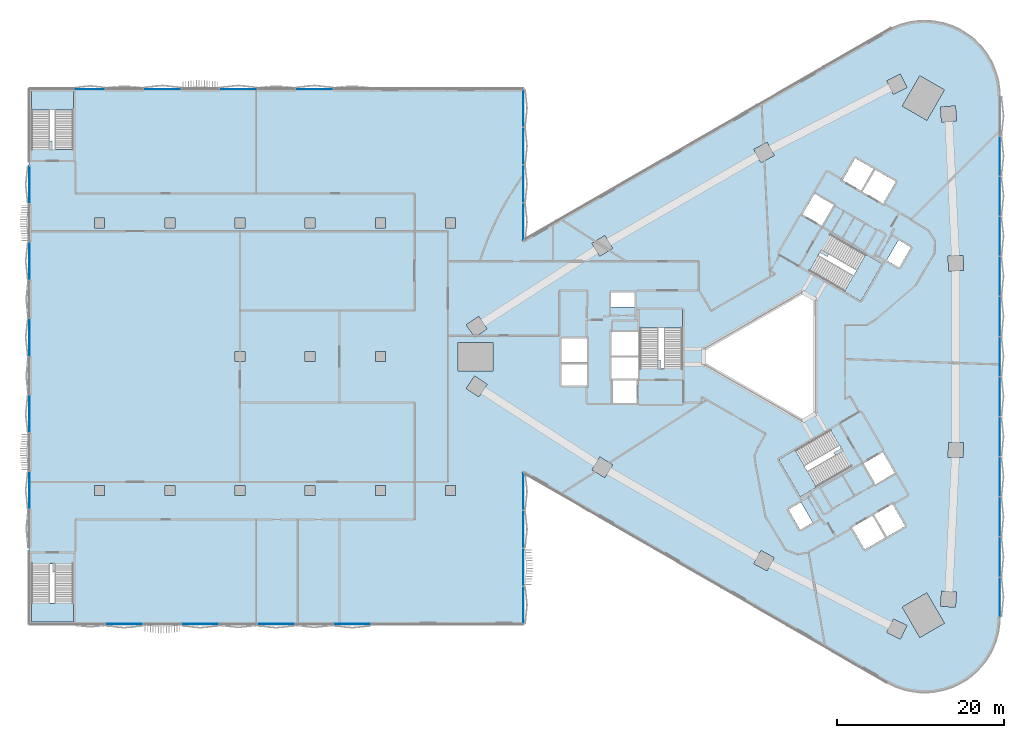
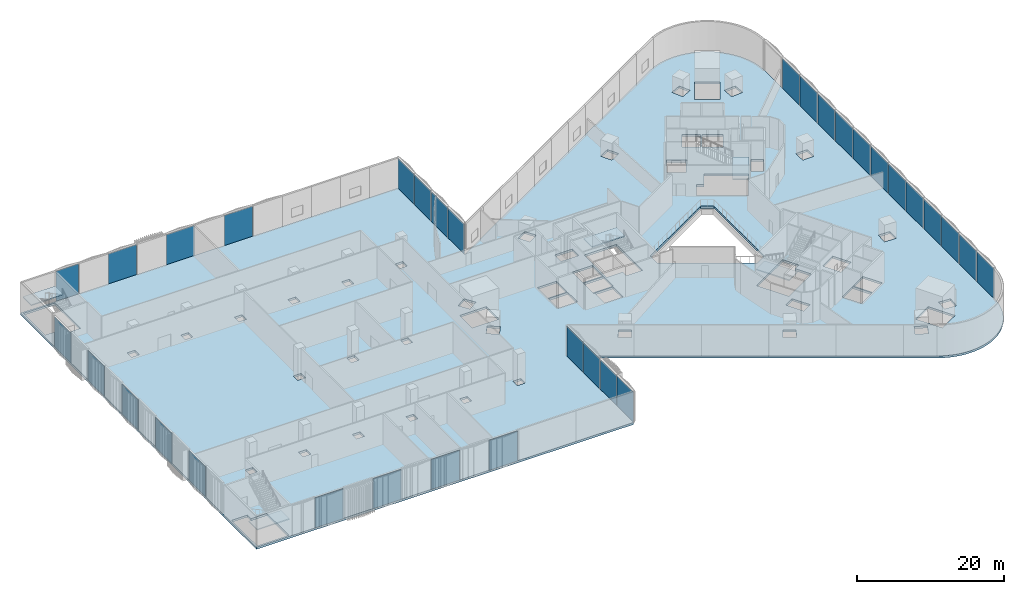
# One storey, part 10 of 31: 33 plates, 6 slabs, 9 elements without a shape of their own.
"""IFC4 building model written with IfcOpenShell, lengths in metres."""

from ifc_helpers import new_model, si_unit, direction, frame, origin, origin_2d, place, context, subcontext, project, spatial, polyline, rectangle, outline, extrude, material, layer, layer_set, type_object, element, aggregate, save


model = new_model("IFC4")

# Units and contexts
model_context = context("Model", 3, precision=1e-05, world=origin(), true_north=direction((0.0, 1.0)))
body_context = subcontext(model_context, "Body", "Model", "MODEL_VIEW")
ifc_project = project(units=[si_unit("LENGTHUNIT", "METRE"), si_unit("AREAUNIT", "SQUARE_METRE"), si_unit("VOLUMEUNIT", "CUBIC_METRE"), si_unit("PLANEANGLEUNIT", "RADIAN"), si_unit("MASSUNIT", "GRAM", prefix="KILO")], contexts=[model_context])

# Site, building, storey
site_placement = place(None, origin())
site = spatial("IfcSite", under=ifc_project, at=site_placement, CompositionType="ELEMENT")
building_placement = place(site_placement, origin())
building = spatial("IfcBuilding", under=site, at=building_placement, Name="Tamra Quay Hotel Tower", CompositionType="ELEMENT")
storey_placement = place(building_placement, frame((0.0, 0.0, 14.0)))
storey = spatial("IfcBuildingStorey", under=building, at=storey_placement, Name="L02", CompositionType="ELEMENT", Elevation=14.0)

# Stair, slab
ifc_material_1 = material(Name="Exit stair 2200 38 risers 144.7 going 272")
stair_type_1 = type_object("IfcStairType", Name="Exit stair 2200 38 risers 144.7 going 272", PredefinedType="HALF_TURN_STAIR", material=ifc_material_1)
stair_1_placement = place(storey_placement, origin())
stair_1 = element("IfcStair", 1, at=stair_1_placement, inside=storey, type_object=stair_type_1, Name="L02 Exit stair ST3", PredefinedType="HALF_TURN_STAIR")
ifc_material_2 = material(Name="Concrete M70", Category="concrete")
ifc_layer_1 = layer(ifc_material_2, 0.175048828125)
ifc_layer_set_1 = layer_set([ifc_layer_1], Name="Concrete M70 stair landing 180")
slab_type_1 = type_object("IfcSlabType", Name="Concrete M70 stair landing 180", PredefinedType="LANDING", material=ifc_layer_set_1)
slab_1_placement = place(storey_placement, frame((0.0, 0.0, 2.574951171875)))
slab_1 = element("IfcSlab", 2, at=slab_1_placement, type_object=slab_type_1, Name="ST3 landing 1", PredefinedType="LANDING", context=body_context, shape_type="SweptSolid", body=[
    extrude(outline(polyline([(-10.932373046875, 3.39599609375), (-10.932373046875, 5.679931640625), (-16.09130859375, 5.679931640625), (-16.09130859375, 3.39599609375), (-10.932373046875, 3.39599609375)])), origin(), (0.0, 0.0, 1.0), 0.175048828125),
])
aggregate(stair_1, [slab_1])

stair_2_placement = place(storey_placement, origin())
stair_2 = element("IfcStair", 3, at=stair_2_placement, inside=storey, type_object=stair_type_1, Name="L02 Exit stair ST1", PredefinedType="HALF_TURN_STAIR")
slab_2_placement = place(storey_placement, frame((0.0, 0.0, 2.574951171875)))
slab_2 = element("IfcSlab", 4, at=slab_2_placement, type_object=slab_type_1, Name="ST1 landing 1", PredefinedType="LANDING", context=body_context, shape_type="SweptSolid", body=[
    extrude(outline(polyline([(8.406982421875, 7.769775390625), (10.385009765625, 6.627685546875), (12.964599609375, 11.095458984375), (10.986572265625, 12.237548828125), (8.406982421875, 7.769775390625)])), origin(), (0.0, 0.0, 1.0), 0.175048828125),
])
aggregate(stair_2, [slab_2])

stair_3_placement = place(storey_placement, origin())
stair_3 = element("IfcStair", 5, at=stair_3_placement, inside=storey, type_object=stair_type_1, Name="L02 Exit stair ST2", PredefinedType="HALF_TURN_STAIR")
slab_3_placement = place(storey_placement, frame((0.0, 0.0, 2.574951171875)))
slab_3 = element("IfcSlab", 6, at=slab_3_placement, type_object=slab_type_1, Name="ST2 landing 1", PredefinedType="LANDING", context=body_context, shape_type="SweptSolid", body=[
    extrude(outline(polyline([(2.525146484375, -11.16552734375), (0.547119140625, -12.3076171875), (3.126708984375, -16.775390625), (5.104736328125, -15.63330078125), (2.525146484375, -11.16552734375)])), origin(), (0.0, 0.0, 1.0), 0.175048828125),
])
aggregate(stair_3, [slab_3])

ifc_material_3 = material(Name="Exit stair 2200 38 risers 144.7 going 264")
stair_type_2 = type_object("IfcStairType", Name="Exit stair 2200 38 risers 144.7 going 264", PredefinedType="HALF_TURN_STAIR", material=ifc_material_3)
stair_4_placement = place(storey_placement, origin())
stair_4 = element("IfcStair", 7, at=stair_4_placement, inside=storey, type_object=stair_type_2, Name="L02 Exit stair PS1", PredefinedType="HALF_TURN_STAIR")
slab_4_placement = place(storey_placement, frame((0.0, 0.0, 2.574951171875)))
slab_4 = element("IfcSlab", 8, at=slab_4_placement, type_object=slab_type_1, Name="PS1 landing 1", PredefinedType="LANDING", context=body_context, shape_type="SweptSolid", body=[
    extrude(outline(polyline([(-83.820068359375, 29.501953125), (-83.820068359375, 31.780029296875), (-88.8798828125, 31.780029296875), (-88.8798828125, 29.501953125), (-83.820068359375, 29.501953125)])), origin(), (0.0, 0.0, 1.0), 0.175048828125),
])
aggregate(stair_4, [slab_4])

stair_5_placement = place(storey_placement, origin())
stair_5 = element("IfcStair", 9, at=stair_5_placement, inside=storey, type_object=stair_type_2, Name="L02 Exit stair PS2", PredefinedType="HALF_TURN_STAIR")
slab_5_placement = place(storey_placement, frame((0.0, 0.0, 2.574951171875)))
slab_5 = element("IfcSlab", 10, at=slab_5_placement, type_object=slab_type_1, Name="PS2 landing 1", PredefinedType="LANDING", context=body_context, shape_type="SweptSolid", body=[
    extrude(outline(polyline([(-88.8798828125, -29.501953125), (-88.8798828125, -31.780029296875), (-83.820068359375, -31.780029296875), (-83.820068359375, -29.501953125), (-88.8798828125, -29.501953125)])), origin(), (0.0, 0.0, 1.0), 0.175048828125),
])
aggregate(stair_5, [slab_5])

# Slab
ifc_material_4 = material(Name="Concrete M60", Category="concrete")
ifc_layer_2 = layer(ifc_material_4, 0.35009765625)
ifc_layer_set_2 = layer_set([ifc_layer_2], Name="FLOOR SLAB PT 350")
slab_type_2 = type_object("IfcSlabType", Name="FLOOR SLAB PT 350", PredefinedType="FLOOR", material=ifc_layer_set_2)
slab_6_placement = place(storey_placement, frame((0.0, 0.0, -0.35009765625)))
element("IfcSlab", 11, at=slab_6_placement, inside=storey, type_object=slab_type_2, Name="SLAB-L02", PredefinedType="FLOOR", context=body_context, shape_type="SweptSolid", body=[
    extrude(outline(polyline([(-89.10009765625, -32.0), (-89.10009765625, 32.0), (-30.0, 32.0), (-30.0, 13.8564453125), (13.5, 38.97119140625), (14.019287109375, 39.248779296875), (14.555908203125, 39.49169921875), (15.10693359375, 39.69921875), (15.670654296875, 39.8701171875), (16.244140625, 40.00390625), (16.8251953125, 40.099853515625), (17.411376953125, 40.15771484375), (18.0, 40.177001953125), (18.588623046875, 40.15771484375), (19.1748046875, 40.099853515625), (19.755859375, 40.00390625), (20.329345703125, 39.8701171875), (20.89306640625, 39.69921875), (21.444091796875, 39.49169921875), (21.980712890625, 39.248779296875), (22.5, 38.97119140625), (23.0, 38.66015625), (23.47900390625, 38.317138671875), (23.93408203125, 37.943603515625), (24.364013671875, 37.541015625), (24.7666015625, 37.111083984375), (25.14013671875, 36.65576171875), (25.483154296875, 36.177001953125), (25.794189453125, 35.677001953125), (26.072021484375, 35.157470703125), (26.31494140625, 34.62109375), (26.5224609375, 34.06982421875), (26.693359375, 33.50634765625), (26.8271484375, 32.9326171875), (26.923095703125, 32.351806640625), (26.980712890625, 31.765380859375), (27.0, 31.177001953125), (27.0, -31.177001953125), (26.980712890625, -31.765380859375), (26.923095703125, -32.351806640625), (26.8271484375, -32.9326171875), (26.693359375, -33.50634765625), (26.5224609375, -34.06982421875), (26.31494140625, -34.62109375), (26.072021484375, -35.157470703125), (25.794189453125, -35.677001953125), (25.483154296875, -36.177001953125), (25.14013671875, -36.65576171875), (24.7666015625, -37.111083984375), (24.364013671875, -37.541015625), (23.93408203125, -37.943603515625), (23.47900390625, -38.317138671875), (23.0, -38.66015625), (22.5, -38.97119140625), (21.980712890625, -39.248779296875), (21.444091796875, -39.49169921875), (20.89306640625, -39.69921875), (20.329345703125, -39.8701171875), (19.755859375, -40.00390625), (19.1748046875, -40.099853515625), (18.588623046875, -40.15771484375), (18.0, -40.177001953125), (17.411376953125, -40.15771484375), (16.8251953125, -40.099853515625), (16.244140625, -40.00390625), (15.670654296875, -39.8701171875), (15.10693359375, -39.69921875), (14.555908203125, -39.49169921875), (14.019287109375, -39.248779296875), (13.5, -38.97119140625), (-30.0, -13.8564453125), (-30.0, -32.0), (-89.10009765625, -32.0)]), holes=[polyline([(-83.875, -31.72509765625), (-83.875, -25.794921875), (-86.35498046875, -25.794921875), (-86.35498046875, -24.794921875), (-88.824951171875, -24.794921875), (-88.824951171875, -31.72509765625), (-83.875, -31.72509765625)]), polyline([(-64.5, -16.60009765625), (-63.300048828125, -16.60009765625), (-63.300048828125, -15.39990234375), (-64.5, -15.39990234375), (-64.5, -16.60009765625)]), polyline([(-39.300048828125, -16.60009765625), (-38.10009765625, -16.60009765625), (-38.10009765625, -15.39990234375), (-39.300048828125, -15.39990234375), (-39.300048828125, -16.60009765625)]), polyline([(-46.5, -16.60009765625), (-46.5, -15.39990234375), (-47.699951171875, -15.39990234375), (-47.699951171875, -16.60009765625), (-46.5, -16.60009765625)]), polyline([(-56.10009765625, -16.60009765625), (-54.89990234375, -16.60009765625), (-54.89990234375, -15.39990234375), (-56.10009765625, -15.39990234375), (-56.10009765625, -16.60009765625)]), polyline([(-72.89990234375, -16.60009765625), (-71.699951171875, -16.60009765625), (-71.699951171875, -15.39990234375), (-72.89990234375, -15.39990234375), (-72.89990234375, -16.60009765625)]), polyline([(-80.10009765625, -16.60009765625), (-80.10009765625, -15.39990234375), (-81.300048828125, -15.39990234375), (-81.300048828125, -16.60009765625), (-80.10009765625, -16.60009765625)]), polyline([(-64.5, -0.60009765625), (-63.300048828125, -0.60009765625), (-63.300048828125, 0.60009765625), (-64.5, 0.60009765625), (-64.5, -0.60009765625)]), polyline([(-56.10009765625, -0.60009765625), (-54.89990234375, -0.60009765625), (-54.89990234375, 0.60009765625), (-56.10009765625, 0.60009765625), (-56.10009765625, -0.60009765625)]), polyline([(-46.5, -0.60009765625), (-46.5, 0.60009765625), (-47.699951171875, 0.60009765625), (-47.699951171875, -0.60009765625), (-46.5, -0.60009765625)]), polyline([(-72.89990234375, 15.39990234375), (-71.699951171875, 15.39990234375), (-71.699951171875, 16.60009765625), (-72.89990234375, 16.60009765625), (-72.89990234375, 15.39990234375)]), polyline([(-64.5, 15.39990234375), (-63.300048828125, 15.39990234375), (-63.300048828125, 16.60009765625), (-64.5, 16.60009765625), (-64.5, 15.39990234375)]), polyline([(-54.89990234375, 15.39990234375), (-54.89990234375, 16.60009765625), (-56.10009765625, 16.60009765625), (-56.10009765625, 15.39990234375), (-54.89990234375, 15.39990234375)]), polyline([(-81.300048828125, 15.39990234375), (-80.10009765625, 15.39990234375), (-80.10009765625, 16.60009765625), (-81.300048828125, 16.60009765625), (-81.300048828125, 15.39990234375)]), polyline([(-47.699951171875, 15.39990234375), (-46.5, 15.39990234375), (-46.5, 16.60009765625), (-47.699951171875, 16.60009765625), (-47.699951171875, 15.39990234375)]), polyline([(-38.10009765625, 15.39990234375), (-38.10009765625, 16.60009765625), (-39.300048828125, 16.60009765625), (-39.300048828125, 15.39990234375), (-38.10009765625, 15.39990234375)]), polyline([(-83.875, 31.72509765625), (-88.824951171875, 31.72509765625), (-88.824951171875, 25.794921875), (-86.344970703125, 25.794921875), (-86.344970703125, 24.794921875), (-83.875, 24.794921875), (-83.875, 31.72509765625)]), polyline([(-1.56005859375, -23.202392578125), (-2.417236328125, -24.785400390625), (-0.83447265625, -25.642578125), (0.022705078125, -24.059814453125), (-1.56005859375, -23.202392578125)]), polyline([(3.1328125, -20.71630859375), (4.631103515625, -19.851318359375), (3.236083984375, -17.43505859375), (1.73779296875, -18.300048828125), (3.1328125, -20.71630859375)]), polyline([(-20.84765625, -12.010009765625), (-21.789794921875, -13.543701171875), (-20.256103515625, -14.48583984375), (-19.31396484375, -12.9521484375), (-20.84765625, -12.010009765625)]), polyline([(0.622314453125, -12.32763671875), (3.146728515625, -16.7001953125), (8.412353515625, -13.660400390625), (7.1474609375, -11.4697265625), (8.013427734375, -10.9697265625), (6.75390625, -8.78759765625), (0.622314453125, -12.32763671875)]), polyline([(-16.3173828125, -2.85498046875), (-19.4072265625, -2.85498046875), (-19.4072265625, -2.89306640625), (-19.307373046875, -2.89306640625), (-19.307373046875, -5.544921875), (-16.417236328125, -5.544921875), (-16.417236328125, -2.89306640625), (-16.3173828125, -2.89306640625), (-16.3173828125, -2.85498046875)]), polyline([(-35.826416015625, -2.3154296875), (-36.8330078125, -3.8076171875), (-35.3408203125, -4.814208984375), (-34.333984375, -3.322021484375), (-35.826416015625, -2.3154296875)]), polyline([(-22.3671875, -3.445068359375), (-22.3671875, -0.905029296875), (-25.4072265625, -0.905029296875), (-25.4072265625, -3.445068359375), (-22.3671875, -3.445068359375)]), polyline([(-19.417236328125, -2.89306640625), (-19.417236328125, -2.64501953125), (-16.307373046875, -2.64501953125), (-16.307373046875, -2.89306640625), (-16.26708984375, -2.89306640625), (-16.26708984375, -0.10498046875), (-19.45751953125, -0.10498046875), (-19.45751953125, -2.89306640625), (-19.417236328125, -2.89306640625)]), polyline([(-37.828857421875, 1.699951171875), (-37.828857421875, -1.699951171875), (-33.62890625, -1.699951171875), (-33.62890625, 1.699951171875), (-37.828857421875, 1.699951171875)]), polyline([(3.39990234375, 7.736572265625), (-8.39990234375, 0.923828125), (-8.39990234375, -0.923828125), (3.39990234375, -7.736572265625), (5.0, -6.812744140625), (5.0, 6.812744140625), (3.39990234375, 7.736572265625)]), polyline([(-25.4072265625, -0.695068359375), (-22.3671875, -0.695068359375), (-22.3671875, 2.14501953125), (-25.4072265625, 2.14501953125), (-25.4072265625, -0.695068359375)]), polyline([(-16.26708984375, 0.10498046875), (-16.26708984375, 2.945068359375), (-19.45751953125, 2.945068359375), (-19.45751953125, 0.10498046875), (-16.26708984375, 0.10498046875)]), polyline([(-10.9873046875, 5.625), (-16.036376953125, 5.625), (-16.036376953125, -0.455078125), (-13.5068359375, -0.455078125), (-13.5068359375, -1.455078125), (-10.9873046875, -1.455078125), (-10.9873046875, 5.625)]), polyline([(-34.333984375, 3.322021484375), (-35.3408203125, 4.814208984375), (-36.8330078125, 3.8076171875), (-35.826416015625, 2.3154296875), (-34.333984375, 3.322021484375)]), polyline([(-19.50732421875, 7.64501953125), (-19.50732421875, 5.9150390625), (-16.71728515625, 5.9150390625), (-16.71728515625, 7.64501953125), (-19.50732421875, 7.64501953125)]), polyline([(-19.31396484375, 12.9521484375), (-20.256103515625, 14.48583984375), (-21.789794921875, 13.543701171875), (-20.84765625, 12.010009765625), (-19.31396484375, 12.9521484375)]), polyline([(0.022705078125, 24.059814453125), (-0.83447265625, 25.642578125), (-2.417236328125, 24.785400390625), (-1.56005859375, 23.202392578125), (0.022705078125, 24.059814453125)]), polyline([(13.501220703125, -33.012939453125), (15.118896484375, -33.802001953125), (15.907958984375, -32.18408203125), (14.290283203125, -31.395263671875), (13.501220703125, -33.012939453125)]), polyline([(15.34228515625, -29.973388671875), (17.442138671875, -33.61083984375), (20.38671875, -31.910888671875), (18.28662109375, -28.2734375), (15.34228515625, -29.973388671875)]), polyline([(19.91845703125, -29.868896484375), (21.714111328125, -29.994384765625), (21.839599609375, -28.198974609375), (20.0439453125, -28.0732421875), (19.91845703125, -29.868896484375)]), polyline([(11.78564453125, -19.02294921875), (9.325927734375, -20.443115234375), (10.845947265625, -23.075927734375), (13.3056640625, -21.65576171875), (11.78564453125, -19.02294921875)]), polyline([(14.1669921875, -17.648193359375), (11.96728515625, -18.91796875), (13.487548828125, -21.55078125), (15.68701171875, -20.281005859375), (14.1669921875, -17.648193359375)]), polyline([(10.68115234375, -12.790283203125), (12.05615234375, -15.171875), (11.969482421875, -15.2216796875), (12.03955078125, -15.343017578125), (14.455810546875, -13.947998046875), (13.0107421875, -11.4453125), (10.68115234375, -12.790283203125)]), polyline([(22.624267578125, -12.0986328125), (22.67333984375, -10.29931640625), (20.8740234375, -10.250244140625), (20.824951171875, -12.049560546875), (22.624267578125, -12.0986328125)]), polyline([(10.364990234375, 6.702880859375), (12.889404296875, 11.075439453125), (7.6240234375, 14.115478515625), (6.359375, 11.9248046875), (5.4931640625, 12.4248046875), (4.2333984375, 10.242919921875), (10.364990234375, 6.702880859375)]), polyline([(20.8740234375, 10.250244140625), (22.67333984375, 10.29931640625), (22.624267578125, 12.0986328125), (20.824951171875, 12.049560546875), (20.8740234375, 10.250244140625)]), polyline([(16.37451171875, 13.0712890625), (14.876220703125, 13.936279296875), (13.481201171875, 11.52001953125), (14.9794921875, 10.655029296875), (16.37451171875, 13.0712890625)]), polyline([(5.736083984375, 15.645263671875), (7.111083984375, 18.02685546875), (7.19775390625, 17.976806640625), (7.267578125, 18.09814453125), (4.8515625, 19.4931640625), (3.406494140625, 16.990234375), (5.736083984375, 15.645263671875)]), polyline([(12.101806640625, 22.350830078125), (10.58154296875, 19.718017578125), (13.041259765625, 18.298095703125), (14.561279296875, 20.930908203125), (12.101806640625, 22.350830078125)]), polyline([(8.2001953125, 21.093017578125), (10.39990234375, 19.822998046875), (11.919921875, 22.455810546875), (9.72021484375, 23.725830078125), (8.2001953125, 21.093017578125)]), polyline([(20.0439453125, 28.0732421875), (21.839599609375, 28.198974609375), (21.714111328125, 29.994384765625), (19.91845703125, 29.868896484375), (20.0439453125, 28.0732421875)]), polyline([(18.28662109375, 28.2734375), (20.38671875, 31.910888671875), (17.442138671875, 33.61083984375), (15.34228515625, 29.973388671875), (18.28662109375, 28.2734375)]), polyline([(15.907958984375, 32.18408203125), (15.118896484375, 33.802001953125), (13.501220703125, 33.012939453125), (14.290283203125, 31.395263671875), (15.907958984375, 32.18408203125)])]), origin(), (0.0, 0.0, 1.0), 0.35009765625),
])

# Curtain wall, plates
ifc_material_5 = material(Name="Aluminium 6063 anodised dark grey", Category="aluminium")
curtain_wall_type = type_object("IfcCurtainWallType", Name="CW4 CURTAIN WALL", PredefinedType="NOTDEFINED", material=ifc_material_5)
curtain_wall_1_placement = place(storey_placement, origin())
curtain_wall_1 = element("IfcCurtainWall", 12, at=curtain_wall_1_placement, inside=storey, type_object=curtain_wall_type, Name="CW4 east face L02", PredefinedType="NOTDEFINED")
ifc_material_6 = material(Name="Glass clear laminated low-iron", Category="glass")
ifc_layer_3 = layer(ifc_material_6, 0.0400390625)
ifc_layer_set_3 = layer_set([ifc_layer_3], Name="GLASS PANEL CW4")
plate_type = type_object("IfcPlateType", Name="GLASS PANEL CW4", PredefinedType="CURTAIN_PANEL", material=ifc_layer_set_3)
plate_1_placement = place(storey_placement, frame((-30.0, -29.73193359375, 0.0), z_axis=(0.0, 0.0, 1.0), x_axis=(0.0, 1.0, 0.0)))
plate_1 = element("IfcPlate", 13, at=plate_1_placement, type_object=plate_type, Name="CW4 glass L02.E.1", PredefinedType="CURTAIN_PANEL", context=body_context, shape_type="SweptSolid", body=[
    extrude(rectangle(XDim=4.416015625, YDim=0.0400390625, at=origin_2d()), origin(), (0.0, 0.0, 1.0), 4.969970703125),
])
plate_2_placement = place(storey_placement, frame((-30.0, -25.196044921875, 0.0), z_axis=(0.0, 0.0, 1.0), x_axis=(0.0, 1.0, 0.0)))
plate_2 = element("IfcPlate", 14, at=plate_2_placement, type_object=plate_type, Name="CW4 glass L02.E.2", PredefinedType="CURTAIN_PANEL", context=body_context, shape_type="SweptSolid", body=[
    extrude(rectangle(XDim=4.416015625, YDim=0.0400390625, at=origin_2d()), origin(), (0.0, 0.0, 1.0), 4.969970703125),
])
plate_3_placement = place(storey_placement, frame((-30.0, -20.66015625, 0.0), z_axis=(0.0, 0.0, 1.0), x_axis=(0.0, 1.0, 0.0)))
plate_3 = element("IfcPlate", 15, at=plate_3_placement, type_object=plate_type, Name="CW4 glass L02.E.3", PredefinedType="CURTAIN_PANEL", context=body_context, shape_type="SweptSolid", body=[
    extrude(rectangle(XDim=4.416015625, YDim=0.0400390625, at=origin_2d()), origin(), (0.0, 0.0, 1.0), 4.969970703125),
])
plate_4_placement = place(storey_placement, frame((-30.0, -16.124267578125, 0.0), z_axis=(0.0, 0.0, 1.0), x_axis=(0.0, 1.0, 0.0)))
plate_4 = element("IfcPlate", 16, at=plate_4_placement, type_object=plate_type, Name="CW4 glass L02.E.4", PredefinedType="CURTAIN_PANEL", context=body_context, shape_type="SweptSolid", body=[
    extrude(rectangle(XDim=4.416015625, YDim=0.0400390625, at=origin_2d()), origin(), (0.0, 0.0, 1.0), 4.969970703125),
])
plate_5_placement = place(storey_placement, frame((27.0, -28.77880859375, 0.0), z_axis=(0.0, 0.0, 1.0), x_axis=(0.0, 1.0, 0.0)))
plate_5 = element("IfcPlate", 17, at=plate_5_placement, type_object=plate_type, Name="CW4 glass L02.E.5", PredefinedType="CURTAIN_PANEL", context=body_context, shape_type="SweptSolid", body=[
    extrude(rectangle(XDim=4.676513671875, YDim=0.0400390625, at=origin_2d()), origin(), (0.0, 0.0, 1.0), 4.969970703125),
])
plate_6_placement = place(storey_placement, frame((27.0, -23.982177734375, 0.0), z_axis=(0.0, 0.0, 1.0), x_axis=(0.0, 1.0, 0.0)))
plate_6 = element("IfcPlate", 18, at=plate_6_placement, type_object=plate_type, Name="CW4 glass L02.E.6", PredefinedType="CURTAIN_PANEL", context=body_context, shape_type="SweptSolid", body=[
    extrude(rectangle(XDim=4.676513671875, YDim=0.0400390625, at=origin_2d()), origin(), (0.0, 0.0, 1.0), 4.969970703125),
])
plate_7_placement = place(storey_placement, frame((27.0, -19.185791015625, 0.0), z_axis=(0.0, 0.0, 1.0), x_axis=(0.0, 1.0, 0.0)))
plate_7 = element("IfcPlate", 19, at=plate_7_placement, type_object=plate_type, Name="CW4 glass L02.E.7", PredefinedType="CURTAIN_PANEL", context=body_context, shape_type="SweptSolid", body=[
    extrude(rectangle(XDim=4.676513671875, YDim=0.0400390625, at=origin_2d()), origin(), (0.0, 0.0, 1.0), 4.969970703125),
])
plate_8_placement = place(storey_placement, frame((27.0, -14.389404296875, 0.0), z_axis=(0.0, 0.0, 1.0), x_axis=(0.0, 1.0, 0.0)))
plate_8 = element("IfcPlate", 20, at=plate_8_placement, type_object=plate_type, Name="CW4 glass L02.E.8", PredefinedType="CURTAIN_PANEL", context=body_context, shape_type="SweptSolid", body=[
    extrude(rectangle(XDim=4.676513671875, YDim=0.0400390625, at=origin_2d()), origin(), (0.0, 0.0, 1.0), 4.969970703125),
])
plate_9_placement = place(storey_placement, frame((27.0, -9.593017578125, 0.0), z_axis=(0.0, 0.0, 1.0), x_axis=(0.0, 1.0, 0.0)))
plate_9 = element("IfcPlate", 21, at=plate_9_placement, type_object=plate_type, Name="CW4 glass L02.E.9", PredefinedType="CURTAIN_PANEL", context=body_context, shape_type="SweptSolid", body=[
    extrude(rectangle(XDim=4.676513671875, YDim=0.0400390625, at=origin_2d()), origin(), (0.0, 0.0, 1.0), 4.969970703125),
])
plate_10_placement = place(storey_placement, frame((27.0, -4.79638671875, 0.0), z_axis=(0.0, 0.0, 1.0), x_axis=(0.0, 1.0, 0.0)))
plate_10 = element("IfcPlate", 22, at=plate_10_placement, type_object=plate_type, Name="CW4 glass L02.E.10", PredefinedType="CURTAIN_PANEL", context=body_context, shape_type="SweptSolid", body=[
    extrude(rectangle(XDim=4.676513671875, YDim=0.0400390625, at=origin_2d()), origin(), (0.0, 0.0, 1.0), 4.969970703125),
])
plate_11_placement = place(storey_placement, frame((27.0, 0.0, 0.0), z_axis=(0.0, 0.0, 1.0), x_axis=(0.0, 1.0, 0.0)))
plate_11 = element("IfcPlate", 23, at=plate_11_placement, type_object=plate_type, Name="CW4 glass L02.E.11", PredefinedType="CURTAIN_PANEL", context=body_context, shape_type="SweptSolid", body=[
    extrude(rectangle(XDim=4.676513671875, YDim=0.0400390625, at=origin_2d()), origin(), (0.0, 0.0, 1.0), 4.969970703125),
])
plate_12_placement = place(storey_placement, frame((27.0, 4.79638671875, 0.0), z_axis=(0.0, 0.0, 1.0), x_axis=(0.0, 1.0, 0.0)))
plate_12 = element("IfcPlate", 24, at=plate_12_placement, type_object=plate_type, Name="CW4 glass L02.E.12", PredefinedType="CURTAIN_PANEL", context=body_context, shape_type="SweptSolid", body=[
    extrude(rectangle(XDim=4.676513671875, YDim=0.0400390625, at=origin_2d()), origin(), (0.0, 0.0, 1.0), 4.969970703125),
])
plate_13_placement = place(storey_placement, frame((27.0, 9.593017578125, 0.0), z_axis=(0.0, 0.0, 1.0), x_axis=(0.0, 1.0, 0.0)))
plate_13 = element("IfcPlate", 25, at=plate_13_placement, type_object=plate_type, Name="CW4 glass L02.E.13", PredefinedType="CURTAIN_PANEL", context=body_context, shape_type="SweptSolid", body=[
    extrude(rectangle(XDim=4.676513671875, YDim=0.0400390625, at=origin_2d()), origin(), (0.0, 0.0, 1.0), 4.969970703125),
])
plate_14_placement = place(storey_placement, frame((27.0, 14.389404296875, 0.0), z_axis=(0.0, 0.0, 1.0), x_axis=(0.0, 1.0, 0.0)))
plate_14 = element("IfcPlate", 26, at=plate_14_placement, type_object=plate_type, Name="CW4 glass L02.E.14", PredefinedType="CURTAIN_PANEL", context=body_context, shape_type="SweptSolid", body=[
    extrude(rectangle(XDim=4.676513671875, YDim=0.0400390625, at=origin_2d()), origin(), (0.0, 0.0, 1.0), 4.969970703125),
])
plate_15_placement = place(storey_placement, frame((27.0, 19.185791015625, 0.0), z_axis=(0.0, 0.0, 1.0), x_axis=(0.0, 1.0, 0.0)))
plate_15 = element("IfcPlate", 27, at=plate_15_placement, type_object=plate_type, Name="CW4 glass L02.E.15", PredefinedType="CURTAIN_PANEL", context=body_context, shape_type="SweptSolid", body=[
    extrude(rectangle(XDim=4.676513671875, YDim=0.0400390625, at=origin_2d()), origin(), (0.0, 0.0, 1.0), 4.969970703125),
])
plate_16_placement = place(storey_placement, frame((27.0, 23.982177734375, 0.0), z_axis=(0.0, 0.0, 1.0), x_axis=(0.0, 1.0, 0.0)))
plate_16 = element("IfcPlate", 28, at=plate_16_placement, type_object=plate_type, Name="CW4 glass L02.E.16", PredefinedType="CURTAIN_PANEL", context=body_context, shape_type="SweptSolid", body=[
    extrude(rectangle(XDim=4.676513671875, YDim=0.0400390625, at=origin_2d()), origin(), (0.0, 0.0, 1.0), 4.969970703125),
])
plate_17_placement = place(storey_placement, frame((-30.0, 16.124267578125, 0.0), z_axis=(0.0, 0.0, 1.0), x_axis=(0.0, 1.0, 0.0)))
plate_17 = element("IfcPlate", 29, at=plate_17_placement, type_object=plate_type, Name="CW4 glass L02.E.18", PredefinedType="CURTAIN_PANEL", context=body_context, shape_type="SweptSolid", body=[
    extrude(rectangle(XDim=4.416015625, YDim=0.0400390625, at=origin_2d()), origin(), (0.0, 0.0, 1.0), 4.969970703125),
])
plate_18_placement = place(storey_placement, frame((-30.0, 20.66015625, 0.0), z_axis=(0.0, 0.0, 1.0), x_axis=(0.0, 1.0, 0.0)))
plate_18 = element("IfcPlate", 30, at=plate_18_placement, type_object=plate_type, Name="CW4 glass L02.E.19", PredefinedType="CURTAIN_PANEL", context=body_context, shape_type="SweptSolid", body=[
    extrude(rectangle(XDim=4.416015625, YDim=0.0400390625, at=origin_2d()), origin(), (0.0, 0.0, 1.0), 4.969970703125),
])
plate_19_placement = place(storey_placement, frame((-30.0, 25.196044921875, 0.0), z_axis=(0.0, 0.0, 1.0), x_axis=(0.0, 1.0, 0.0)))
plate_19 = element("IfcPlate", 31, at=plate_19_placement, type_object=plate_type, Name="CW4 glass L02.E.20", PredefinedType="CURTAIN_PANEL", context=body_context, shape_type="SweptSolid", body=[
    extrude(rectangle(XDim=4.416015625, YDim=0.0400390625, at=origin_2d()), origin(), (0.0, 0.0, 1.0), 4.969970703125),
])
plate_20_placement = place(storey_placement, frame((-30.0, 29.73193359375, 0.0), z_axis=(0.0, 0.0, 1.0), x_axis=(0.0, 1.0, 0.0)))
plate_20 = element("IfcPlate", 32, at=plate_20_placement, type_object=plate_type, Name="CW4 glass L02.E.21", PredefinedType="CURTAIN_PANEL", context=body_context, shape_type="SweptSolid", body=[
    extrude(rectangle(XDim=4.416015625, YDim=0.0400390625, at=origin_2d()), origin(), (0.0, 0.0, 1.0), 4.969970703125),
])
aggregate(curtain_wall_1, [plate_1, plate_2, plate_3, plate_4, plate_5, plate_6, plate_7, plate_8, plate_9, plate_10, plate_11, plate_12, plate_13, plate_14, plate_15, plate_16, plate_17, plate_18, plate_19, plate_20])

curtain_wall_2_placement = place(storey_placement, origin())
curtain_wall_2 = element("IfcCurtainWall", 33, at=curtain_wall_2_placement, inside=storey, type_object=curtain_wall_type, Name="CW4 south-west face L02", PredefinedType="NOTDEFINED")
plate_21_placement = place(storey_placement, frame((-77.734619140625, -32.0, 0.0), z_axis=(0.0, 0.0, 1.0), x_axis=(1.0, 0.0, 0.0)))
plate_21 = element("IfcPlate", 34, at=plate_21_placement, type_object=plate_type, Name="CW4 glass L02.SW.1", PredefinedType="CURTAIN_PANEL", context=body_context, shape_type="SweptSolid", body=[
    extrude(rectangle(XDim=4.42626953125, YDim=0.0400390625, at=origin_2d()), origin(), (0.0, 0.0, 1.0), 4.969970703125),
])
plate_22_placement = place(storey_placement, frame((-68.642333984375, -32.0, 0.0), z_axis=(0.0, 0.0, 1.0), x_axis=(1.0, 0.0, 0.0)))
plate_22 = element("IfcPlate", 35, at=plate_22_placement, type_object=plate_type, Name="CW4 glass L02.SW.2", PredefinedType="CURTAIN_PANEL", context=body_context, shape_type="SweptSolid", body=[
    extrude(rectangle(XDim=4.42626953125, YDim=0.0400390625, at=origin_2d()), origin(), (0.0, 0.0, 1.0), 4.969970703125),
])
plate_23_placement = place(storey_placement, frame((-59.550048828125, -32.0, 0.0), z_axis=(0.0, 0.0, 1.0), x_axis=(1.0, 0.0, 0.0)))
plate_23 = element("IfcPlate", 36, at=plate_23_placement, type_object=plate_type, Name="CW4 glass L02.SW.3", PredefinedType="CURTAIN_PANEL", context=body_context, shape_type="SweptSolid", body=[
    extrude(rectangle(XDim=4.42626953125, YDim=0.0400390625, at=origin_2d()), origin(), (0.0, 0.0, 1.0), 4.969970703125),
])
plate_24_placement = place(storey_placement, frame((-50.457763671875, -32.0, 0.0), z_axis=(0.0, 0.0, 1.0), x_axis=(1.0, 0.0, 0.0)))
plate_24 = element("IfcPlate", 37, at=plate_24_placement, type_object=plate_type, Name="CW4 glass L02.SW.4", PredefinedType="CURTAIN_PANEL", context=body_context, shape_type="SweptSolid", body=[
    extrude(rectangle(XDim=4.42626953125, YDim=0.0400390625, at=origin_2d()), origin(), (0.0, 0.0, 1.0), 4.969970703125),
])
aggregate(curtain_wall_2, [plate_21, plate_22, plate_23, plate_24])

curtain_wall_3_placement = place(storey_placement, origin())
curtain_wall_3 = element("IfcCurtainWall", 38, at=curtain_wall_3_placement, inside=storey, type_object=curtain_wall_type, Name="CW4 north-west face L02", PredefinedType="NOTDEFINED")
plate_25_placement = place(storey_placement, frame((-55.00390625, 32.0, 0.0), z_axis=(0.0, 0.0, 1.0), x_axis=(-1.0, 0.0, 0.0)))
plate_25 = element("IfcPlate", 39, at=plate_25_placement, type_object=plate_type, Name="CW4 glass L02.NW.1", PredefinedType="CURTAIN_PANEL", context=body_context, shape_type="SweptSolid", body=[
    extrude(rectangle(XDim=4.42626953125, YDim=0.0400390625, at=origin_2d()), origin(), (0.0, 0.0, 1.0), 4.969970703125),
])
plate_26_placement = place(storey_placement, frame((-64.09619140625, 32.0, 0.0), z_axis=(0.0, 0.0, 1.0), x_axis=(-1.0, 0.0, 0.0)))
plate_26 = element("IfcPlate", 40, at=plate_26_placement, type_object=plate_type, Name="CW4 glass L02.NW.2", PredefinedType="CURTAIN_PANEL", context=body_context, shape_type="SweptSolid", body=[
    extrude(rectangle(XDim=4.42626953125, YDim=0.0400390625, at=origin_2d()), origin(), (0.0, 0.0, 1.0), 4.969970703125),
])
plate_27_placement = place(storey_placement, frame((-73.1884765625, 32.0, 0.0), z_axis=(0.0, 0.0, 1.0), x_axis=(-1.0, 0.0, 0.0)))
plate_27 = element("IfcPlate", 41, at=plate_27_placement, type_object=plate_type, Name="CW4 glass L02.NW.3", PredefinedType="CURTAIN_PANEL", context=body_context, shape_type="SweptSolid", body=[
    extrude(rectangle(XDim=4.42626953125, YDim=0.0400390625, at=origin_2d()), origin(), (0.0, 0.0, 1.0), 4.969970703125),
])
plate_28_placement = place(storey_placement, frame((-81.803955078125, 32.0, 0.0), z_axis=(0.0, 0.0, 1.0), x_axis=(-1.0, 0.0, 0.0)))
plate_28 = element("IfcPlate", 42, at=plate_28_placement, type_object=plate_type, Name="CW4 glass L02.NW.4", PredefinedType="CURTAIN_PANEL", context=body_context, shape_type="SweptSolid", body=[
    extrude(rectangle(XDim=3.472412109375, YDim=0.0400390625, at=origin_2d()), origin(), (0.0, 0.0, 1.0), 4.969970703125),
])
aggregate(curtain_wall_3, [plate_25, plate_26, plate_27, plate_28])

curtain_wall_4_placement = place(storey_placement, origin())
curtain_wall_4 = element("IfcCurtainWall", 43, at=curtain_wall_4_placement, inside=storey, type_object=curtain_wall_type, Name="CW4 west face L02", PredefinedType="NOTDEFINED")
plate_29_placement = place(storey_placement, frame((-89.10009765625, 20.571533203125, 0.0), z_axis=(0.0, 0.0, 1.0), x_axis=(0.0, -1.0, 0.0)))
plate_29 = element("IfcPlate", 44, at=plate_29_placement, type_object=plate_type, Name="CW4 glass L02.W.1", PredefinedType="CURTAIN_PANEL", context=body_context, shape_type="SweptSolid", body=[
    extrude(rectangle(XDim=4.451416015625, YDim=0.0400390625, at=origin_2d()), origin(), (0.0, 0.0, 1.0), 4.969970703125),
])
plate_30_placement = place(storey_placement, frame((-89.10009765625, 11.428466796875, 0.0), z_axis=(0.0, 0.0, 1.0), x_axis=(0.0, -1.0, 0.0)))
plate_30 = element("IfcPlate", 45, at=plate_30_placement, type_object=plate_type, Name="CW4 glass L02.W.2", PredefinedType="CURTAIN_PANEL", context=body_context, shape_type="SweptSolid", body=[
    extrude(rectangle(XDim=4.451416015625, YDim=0.0400390625, at=origin_2d()), origin(), (0.0, 0.0, 1.0), 4.969970703125),
])
plate_31_placement = place(storey_placement, frame((-89.10009765625, 2.28564453125, 0.0), z_axis=(0.0, 0.0, 1.0), x_axis=(0.0, -1.0, 0.0)))
plate_31 = element("IfcPlate", 46, at=plate_31_placement, type_object=plate_type, Name="CW4 glass L02.W.3", PredefinedType="CURTAIN_PANEL", context=body_context, shape_type="SweptSolid", body=[
    extrude(rectangle(XDim=4.451416015625, YDim=0.0400390625, at=origin_2d()), origin(), (0.0, 0.0, 1.0), 4.969970703125),
])
plate_32_placement = place(storey_placement, frame((-89.10009765625, -6.857177734375, 0.0), z_axis=(0.0, 0.0, 1.0), x_axis=(0.0, -1.0, 0.0)))
plate_32 = element("IfcPlate", 47, at=plate_32_placement, type_object=plate_type, Name="CW4 glass L02.W.4", PredefinedType="CURTAIN_PANEL", context=body_context, shape_type="SweptSolid", body=[
    extrude(rectangle(XDim=4.451416015625, YDim=0.0400390625, at=origin_2d()), origin(), (0.0, 0.0, 1.0), 4.969970703125),
])
plate_33_placement = place(storey_placement, frame((-89.10009765625, -16.0, 0.0), z_axis=(0.0, 0.0, 1.0), x_axis=(0.0, -1.0, 0.0)))
plate_33 = element("IfcPlate", 48, at=plate_33_placement, type_object=plate_type, Name="CW4 glass L02.W.5", PredefinedType="CURTAIN_PANEL", context=body_context, shape_type="SweptSolid", body=[
    extrude(rectangle(XDim=4.451416015625, YDim=0.0400390625, at=origin_2d()), origin(), (0.0, 0.0, 1.0), 4.969970703125),
])
aggregate(curtain_wall_4, [plate_29, plate_30, plate_31, plate_32, plate_33])

save(model, "model.ifc")
